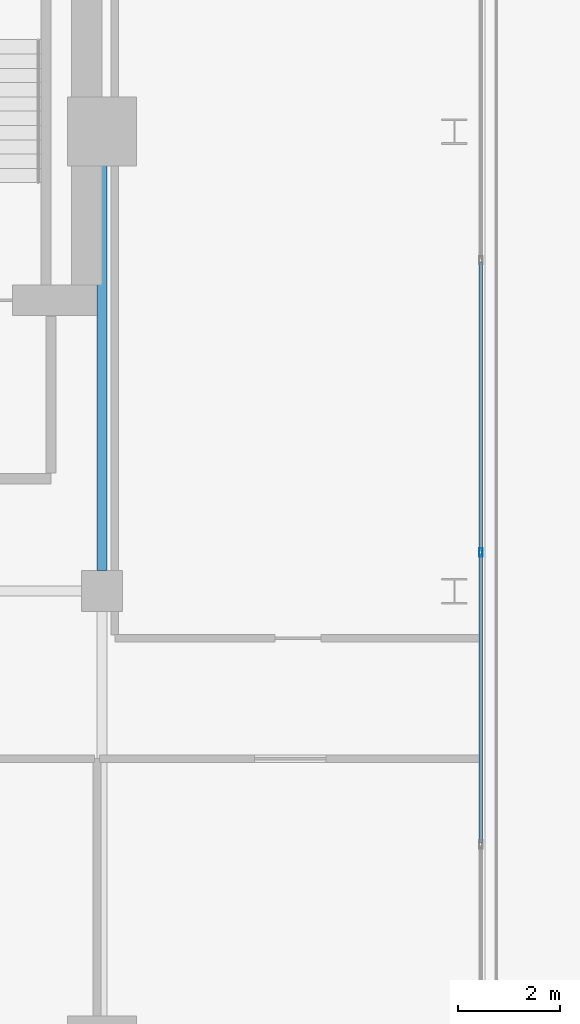
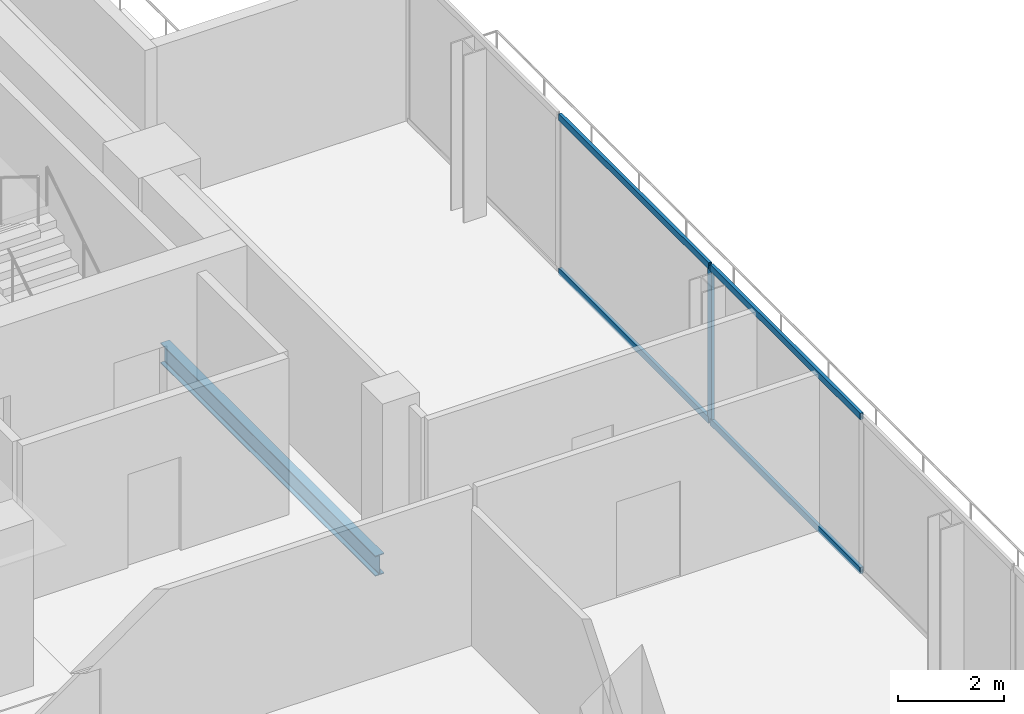
# One storey, part 11 of 21: 5 members, 1 beam, 1 element without a shape of its own.
"""IFC4 building model written with IfcOpenShell, lengths in metres."""

from ifc_helpers import new_model, si_unit, direction, frame, origin, origin_2d, place, context, subcontext, project, spatial, hollow_rectangle, i_section, extrude, material, layer, layer_set, material_profile, profile_set, type_object, element, aggregate, save


model = new_model("IFC4")

# Units and contexts
model_context = context("Model", 3, precision=1e-05, world=origin(), true_north=direction((0.0, 1.0)))
body_context = subcontext(model_context, "Body", "Model", "MODEL_VIEW")
ifc_project = project(units=[si_unit("LENGTHUNIT", "METRE"), si_unit("AREAUNIT", "SQUARE_METRE"), si_unit("VOLUMEUNIT", "CUBIC_METRE"), si_unit("PLANEANGLEUNIT", "RADIAN"), si_unit("MASSUNIT", "GRAM", prefix="KILO")], contexts=[model_context])

# Site, building, storey
site_placement = place(None, origin())
site = spatial("IfcSite", under=ifc_project, at=site_placement, CompositionType="ELEMENT")
building_placement = place(site_placement, origin())
building = spatial("IfcBuilding", under=site, at=building_placement, Name="Maruvema Waterfront Hotel and Observation Tower", CompositionType="ELEMENT")
storey_placement = place(building_placement, frame((0.0, 0.0, 322.0)))
storey = spatial("IfcBuildingStorey", under=building, at=storey_placement, Name="L79", CompositionType="ELEMENT", Elevation=322.0)

# Curtain wall, members
ifc_material_1 = material(Name="Anodised bronze aluminium and solar-control low-E IGU", Category="aluminium")
ifc_layer = layer(ifc_material_1, 0.159912109375, Name="Zone 4 Sky Residence Inner Curtain Wall System CW-05")
ifc_layer_set = layer_set([ifc_layer], Name="Anodised bronze aluminium and solar-control low-E IGU")
curtain_wall_type = type_object("IfcCurtainWallType", Name="Zone 4 Sky Residence Inner Curtain Wall System CW-05", PredefinedType="USERDEFINED", material=ifc_layer_set)
curtain_wall_placement = place(storey_placement, origin())
curtain_wall = element("IfcCurtainWall", 1, at=curtain_wall_placement, inside=storey, type_object=curtain_wall_type, Name="L79 Curtain Wall CW-L79-E", ObjectType="UNITISED CURTAIN WALL", PredefinedType="USERDEFINED")
ifc_material_2 = material(Name="Anodised architectural bronze aluminium", Category="aluminium")
ifc_material_profile_1 = material_profile(ifc_material_2, hollow_rectangle(XDim=0.070068359375, YDim=0.14990234375, WallThickness=0.00390625, at=origin_2d()), Name="ALU-T70x150")
ifc_profile_set_1 = profile_set([ifc_material_profile_1], Name="Anodised architectural bronze aluminium")
member_type_1 = type_object("IfcMemberType", Name="Curtain Wall Horizontal Transom ALU-T70x150", PredefinedType="USERDEFINED", material=ifc_profile_set_1)
member_1_placement = place(storey_placement, frame((57.820068359375, 31.070068359375, 0.030029296875), z_axis=(0.0, 1.0, 0.0), x_axis=(-1.0, 0.0, 0.0)))
member_1 = element("IfcMember", 2, at=member_1_placement, type_object=member_type_1, Name="CW-05 transom 3.1", ObjectType="TRANSOM", PredefinedType="USERDEFINED", context=body_context, shape_type="SweptSolid", body=[
    extrude(hollow_rectangle(XDim=0.070068359375, YDim=0.14990234375, WallThickness=0.00390625, at=origin_2d()), origin(), (0.0, 0.0, 1.0), 5.659912109375),
])
member_2_placement = place(storey_placement, frame((57.820068359375, 31.070068359375, 3.580078125), z_axis=(0.0, 1.0, 0.0), x_axis=(-1.0, 0.0, 0.0)))
member_2 = element("IfcMember", 3, at=member_2_placement, type_object=member_type_1, Name="CW-05 transom 3.2", ObjectType="TRANSOM", PredefinedType="USERDEFINED", context=body_context, shape_type="SweptSolid", body=[
    extrude(hollow_rectangle(XDim=0.070068359375, YDim=0.14990234375, WallThickness=0.00390625, at=origin_2d()), origin(), (0.0, 0.0, 1.0), 5.659912109375),
])
member_3_placement = place(storey_placement, frame((57.820068359375, 36.7900390625, 0.030029296875), z_axis=(0.0, 1.0, 0.0), x_axis=(-1.0, 0.0, 0.0)))
member_3 = element("IfcMember", 4, at=member_3_placement, type_object=member_type_1, Name="CW-05 transom 4.1", ObjectType="TRANSOM", PredefinedType="USERDEFINED", context=body_context, shape_type="SweptSolid", body=[
    extrude(hollow_rectangle(XDim=0.070068359375, YDim=0.14990234375, WallThickness=0.00390625, at=origin_2d()), origin(), (0.0, 0.0, 1.0), 5.659912109375),
])
member_4_placement = place(storey_placement, frame((57.820068359375, 36.7900390625, 3.580078125), z_axis=(0.0, 1.0, 0.0), x_axis=(-1.0, 0.0, 0.0)))
member_4 = element("IfcMember", 5, at=member_4_placement, type_object=member_type_1, Name="CW-05 transom 4.2", ObjectType="TRANSOM", PredefinedType="USERDEFINED", context=body_context, shape_type="SweptSolid", body=[
    extrude(hollow_rectangle(XDim=0.070068359375, YDim=0.14990234375, WallThickness=0.00390625, at=origin_2d()), origin(), (0.0, 0.0, 1.0), 5.659912109375),
])
ifc_material_3 = material(Name="Anodised architectural bronze aluminium", Category="aluminium")
ifc_material_profile_2 = material_profile(ifc_material_3, hollow_rectangle(XDim=0.06494140625, YDim=0.1650390625, WallThickness=0.00390625, at=origin_2d()), Name="ALU-M65x165")
ifc_profile_set_2 = profile_set([ifc_material_profile_2], Name="Anodised architectural bronze aluminium")
member_type_2 = type_object("IfcMemberType", Name="Curtain Wall Primary Mullion ALU-M65x165", PredefinedType="MULLION", material=ifc_profile_set_2)
member_5_placement = place(storey_placement, frame((57.820068359375, 36.760009765625, 0.0), z_axis=(0.0, 0.0, 1.0), x_axis=(-1.0, 0.0, 0.0)))
member_5 = element("IfcMember", 6, at=member_5_placement, type_object=member_type_2, Name="CW-05 mullion 4", PredefinedType="MULLION", context=body_context, shape_type="SweptSolid", body=[
    extrude(hollow_rectangle(XDim=0.06494140625, YDim=0.1650390625, WallThickness=0.00390625, at=origin_2d()), origin(), (0.0, 0.0, 1.0), 3.610107421875),
])
aggregate(curtain_wall, [member_5, member_1, member_2, member_3, member_4])

# Beam
ifc_material_4 = material(Name="Steel ASTM A572 Grade 50", Category="steel")
ifc_material_profile_3 = material_profile(ifc_material_4, i_section(OverallWidth=0.194091796875, OverallDepth=0.468994140625, WebThickness=0.0126953125, FlangeThickness=0.0205078125, FilletRadius=0.014892578125, at=origin_2d()), Name="W460x106.0")
ifc_profile_set_3 = profile_set([ifc_material_profile_3], Name="Steel ASTM A572 Grade 50")
beam_type = type_object("IfcBeamType", Name="Primary Floor Girder W460x106.0", PredefinedType="BEAM", material=ifc_profile_set_3)
beam_placement = place(storey_placement, frame((50.39990234375, 36.39990234375, -0.474609375), z_axis=(0.0, 1.0, 0.0), x_axis=(-1.0, 0.0, 0.0)))
element("IfcBeam", 7, at=beam_placement, inside=storey, type_object=beam_type, Name="L79 Floor Girder NS-08", PredefinedType="BEAM", context=body_context, shape_type="SweptSolid", body=[
    extrude(i_section(OverallWidth=0.194091796875, OverallDepth=0.468994140625, WebThickness=0.0126953125, FlangeThickness=0.0205078125, FilletRadius=0.014892578125, at=origin_2d()), origin(), (0.0, 0.0, 1.0), 8.10009765625),
])

save(model, "model.ifc")
